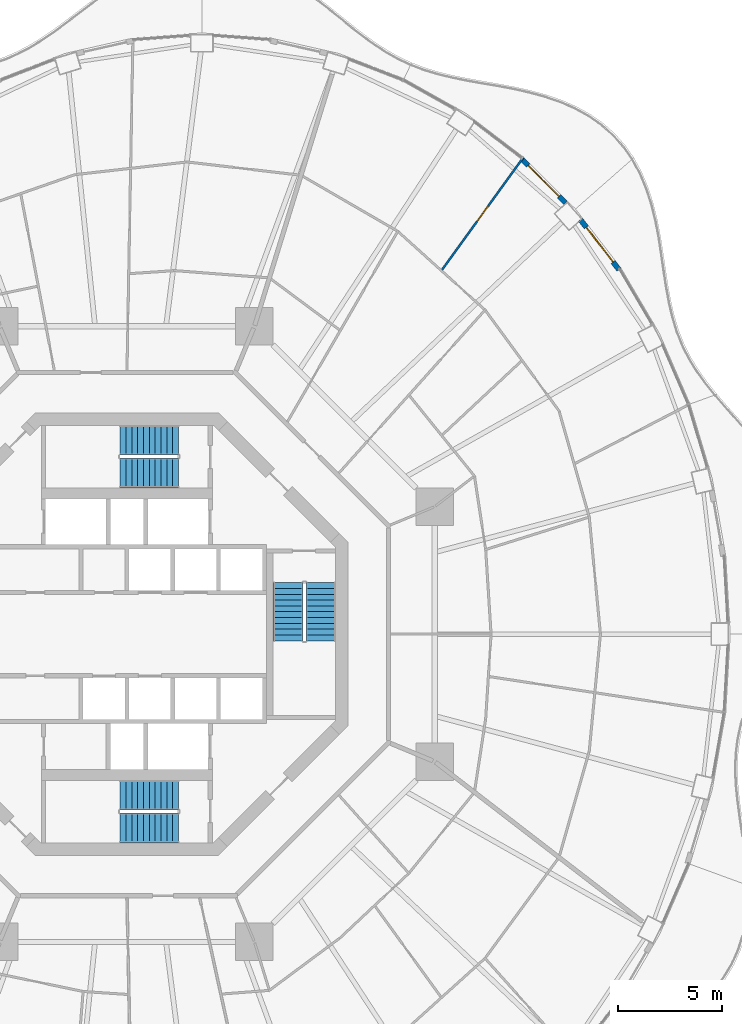
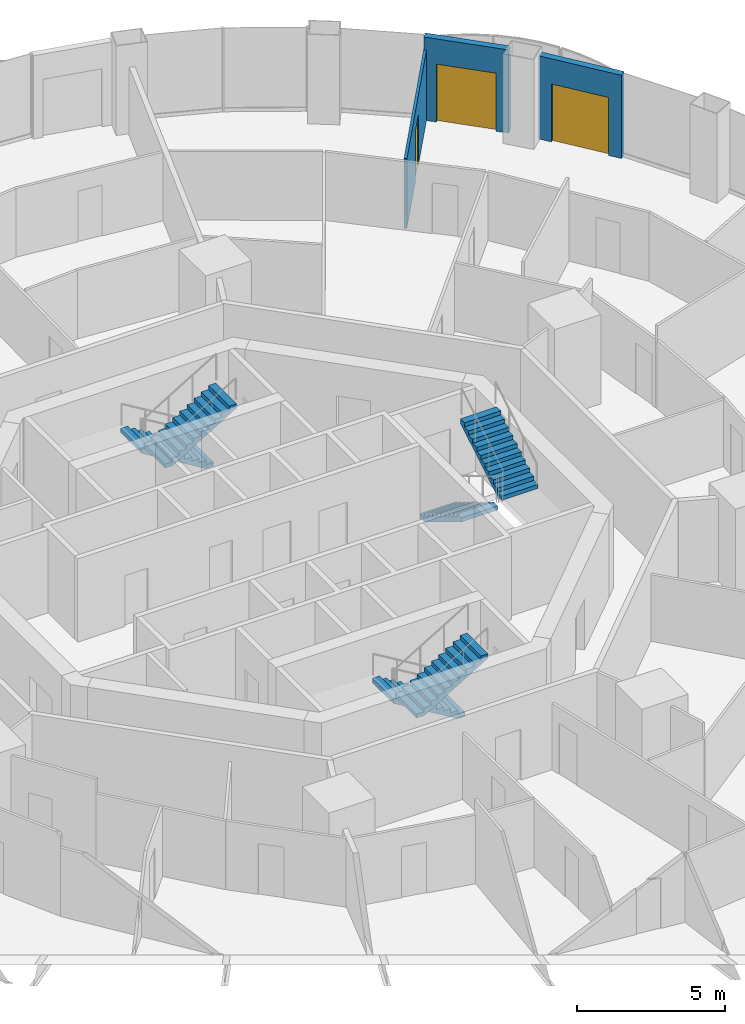
# One storey, part 16 of 19: 6 stair flights, 3 doors, 3 walls, 3 openings, 3 elements without a shape of their own.
"""IFC4 building model written with IfcOpenShell, lengths in metres."""

from ifc_helpers import new_model, si_unit, direction, frame, frame_2d, origin, place, context, subcontext, project, spatial, polyline, rectangle, outline, extrude, material, layer, layer_set, type_object, element, fill, aggregate, save


model = new_model("IFC4")

# Units and contexts
model_context = context("Model", 3, precision=1e-05, world=origin(), true_north=direction((0.0, 1.0)))
body_context = subcontext(model_context, "Body", "Model", "MODEL_VIEW")
ifc_project = project(units=[si_unit("LENGTHUNIT", "METRE"), si_unit("AREAUNIT", "SQUARE_METRE"), si_unit("VOLUMEUNIT", "CUBIC_METRE"), si_unit("PLANEANGLEUNIT", "RADIAN"), si_unit("MASSUNIT", "GRAM", prefix="KILO")], contexts=[model_context])

# Site, building, storey
site_placement = place(None, origin())
site = spatial("IfcSite", under=ifc_project, at=site_placement, CompositionType="ELEMENT")
building_placement = place(site_placement, origin())
building = spatial("IfcBuilding", under=site, at=building_placement, Name="Nagisa Residences", CompositionType="ELEMENT")
storey_placement = place(building_placement, frame((0.0, 0.0, 188.10009765625)))
storey = spatial("IfcBuildingStorey", under=building, at=storey_placement, Name="L47", CompositionType="ELEMENT", Elevation=188.10009765625)

# Wall, opening, door
ifc_material_1 = material(Name="Gypsum board on steel studs", Category="steel")
ifc_layer_1 = layer(ifc_material_1, 0.10009765625)
ifc_layer_set_1 = layer_set([ifc_layer_1], Name="Apartment partition 100")
wall_type_1 = type_object("IfcWallType", Name="Apartment partition 100", PredefinedType="PARTITIONING", material=ifc_layer_set_1)
wall_1_placement = place(storey_placement, frame((15.1328125, 17.498291015625, 0.0), z_axis=(0.0, 0.0, 1.0), x_axis=(0.586223556927, 0.810149332718, 0.0)))
wall_1 = element("IfcWall", 1, at=wall_1_placement, inside=storey, type_object=wall_type_1, Name="wall:L47:u34", PredefinedType="PARTITIONING", context=body_context, shape_type="SweptSolid", body=[
    extrude(rectangle(XDim=6.6376953125, YDim=0.10009765625, at=frame_2d((3.31884765625, 0.0))), origin(), (0.0, 0.0, 1.0), 2.90478515625),
])
opening_1_placement = place(wall_1_placement, frame((2.868896484375, 0.0, 0.0)))
opening_1 = element("IfcOpeningElement", 2, at=opening_1_placement, cuts=wall_1, Name="Opening L47-U39", PredefinedType="OPENING", context=body_context, shape_type="SweptSolid", body=[
    extrude(rectangle(XDim=0.89990234375, YDim=2.10009765625, at=frame_2d((0.449951171875, 1.050048828125))), frame((0.0, 0.06005859375, 0.0), z_axis=(0.0, -1.0, 0.0), x_axis=(1.0, 0.0, 0.0)), (0.0, 0.0, 1.0), 0.1201171875),
])
ifc_material_2 = material(Name="Timber door set", Category="wood")
door_type_1 = type_object("IfcDoorType", Name="Apartment door 900x2100", OperationType="NOTDEFINED", PredefinedType="DOOR", material=ifc_material_2)
door_1_placement = place(opening_1_placement, origin())
door_1 = element("IfcDoor", 3, at=door_1_placement, inside=storey, type_object=door_type_1, Name="Door to master bedroom, Apartment 47D", OperationType="SINGLE_SWING_LEFT", OverallHeight=2.10009765625, OverallWidth=0.89990234375, PredefinedType="DOOR", context=body_context, shape_type="SweptSolid", body=[
    extrude(rectangle(XDim=0.89990234375, YDim=2.10009765625, at=frame_2d((0.449951171875, 1.050048828125))), frame((0.0, 0.02490234375, 0.0), z_axis=(0.0, -1.0, 0.0), x_axis=(1.0, 0.0, 0.0)), (0.0, 0.0, 1.0), 0.050048828125),
])
fill(opening_1, door_1)

ifc_material_3 = material(Name="Precast concrete C40/50", Category="concrete")
ifc_layer_2 = layer(ifc_material_3, 0.25)
ifc_layer_set_2 = layer_set([ifc_layer_2], Name="BALCONY DOOR WALL 250")
wall_type_2 = type_object("IfcWallType", Name="BALCONY DOOR WALL 250", PredefinedType="SOLIDWALL", material=ifc_layer_set_2)
wall_2_placement = place(storey_placement, frame((21.779541015625, 19.90576171875, 0.0), z_axis=(0.0, 0.0, 1.0), x_axis=(0.610437428894, -0.79206448311, 0.0)))
wall_2 = element("IfcWall", 4, at=wall_2_placement, inside=storey, type_object=wall_type_2, Name="wall:L47:bay05", PredefinedType="SOLIDWALL", context=body_context, shape_type="SweptSolid", body=[
    extrude(rectangle(XDim=3.03515625, YDim=0.25, at=frame_2d((1.517578125, 0.0))), origin(), (0.0, 0.0, 1.0), 3.43994140625),
])
opening_2_placement = place(wall_2_placement, frame((0.467529296875, 0.0, 0.0)))
opening_2 = element("IfcOpeningElement", 5, at=opening_2_placement, cuts=wall_2, Name="Opening BD-L47-02", PredefinedType="OPENING", context=body_context, shape_type="SweptSolid", body=[
    extrude(rectangle(XDim=2.10009765625, YDim=2.39990234375, at=frame_2d((1.050048828125, 1.199951171875))), frame((0.0, 0.135009765625, 0.0), z_axis=(0.0, -1.0, 0.0), x_axis=(1.0, 0.0, 0.0)), (0.0, 0.0, 1.0), 0.27001953125),
])
ifc_material_4 = material(Name="Aluminium and clear glass", Category="aluminium")
door_type_2 = type_object("IfcDoorType", Name="BALCONY SLIDING DOOR 2100x2400", OperationType="SLIDING_TO_LEFT", PredefinedType="DOOR", material=ifc_material_4)
door_2_placement = place(opening_2_placement, origin())
door_2 = element("IfcDoor", 6, at=door_2_placement, inside=storey, type_object=door_type_2, Name="door:L47:bay05", OperationType="SLIDING_TO_LEFT", OverallHeight=2.39990234375, OverallWidth=2.10009765625, PredefinedType="DOOR", context=body_context, shape_type="SweptSolid", body=[
    extrude(rectangle(XDim=2.10009765625, YDim=2.39990234375, at=frame_2d((1.050048828125, 1.199951171875))), frame((0.0, 0.02490234375, 0.0), z_axis=(0.0, -1.0, 0.0), x_axis=(1.0, 0.0, 0.0)), (0.0, 0.0, 1.0), 0.050048828125),
])
fill(opening_2, door_2)

wall_3_placement = place(storey_placement, frame((18.958984375, 22.819580078125, 0.0), z_axis=(0.0, 0.0, 1.0), x_axis=(0.707844845069, -0.706367946122, 0.0)))
wall_3 = element("IfcWall", 7, at=wall_3_placement, inside=storey, type_object=wall_type_2, Name="wall:L47:bay06", PredefinedType="SOLIDWALL", context=body_context, shape_type="SweptSolid", body=[
    extrude(rectangle(XDim=2.9755859375, YDim=0.25, at=frame_2d((1.48779296875, 0.0))), origin(), (0.0, 0.0, 1.0), 3.43994140625),
])
opening_3_placement = place(wall_3_placement, frame((0.437744140625, 0.0, 0.0)))
opening_3 = element("IfcOpeningElement", 8, at=opening_3_placement, cuts=wall_3, Name="Opening BD-L47-03", PredefinedType="OPENING", context=body_context, shape_type="SweptSolid", body=[
    extrude(rectangle(XDim=2.10009765625, YDim=2.39990234375, at=frame_2d((1.050048828125, 1.199951171875))), frame((0.0, 0.135009765625, 0.0), z_axis=(0.0, -1.0, 0.0), x_axis=(1.0, 0.0, 0.0)), (0.0, 0.0, 1.0), 0.27001953125),
])
door_3_placement = place(opening_3_placement, origin())
door_3 = element("IfcDoor", 9, at=door_3_placement, inside=storey, type_object=door_type_2, Name="door:L47:bay06", OperationType="SLIDING_TO_LEFT", OverallHeight=2.39990234375, OverallWidth=2.10009765625, PredefinedType="DOOR", context=body_context, shape_type="SweptSolid", body=[
    extrude(rectangle(XDim=2.10009765625, YDim=2.39990234375, at=frame_2d((1.050048828125, 1.199951171875))), frame((0.0, 0.02490234375, 0.0), z_axis=(0.0, -1.0, 0.0), x_axis=(1.0, 0.0, 0.0)), (0.0, 0.0, 1.0), 0.050048828125),
])
fill(opening_3, door_3)

# Stair, stair flights
ifc_material_5 = material(Name="Concrete C60", Category="concrete")
stair_type = type_object("IfcStairType", Name="Exit stair", PredefinedType="HALF_TURN_STAIR", material=ifc_material_5)
stair_1_placement = place(storey_placement, origin())
stair_1 = element("IfcStair", 10, at=stair_1_placement, inside=storey, type_object=stair_type, Name="L47 Exit stair E", PredefinedType="HALF_TURN_STAIR")
ifc_material_6 = material(Name="Concrete C60", Category="concrete")
stair_flight_type = type_object("IfcStairFlightType", Name="Exit stair flight", PredefinedType="STRAIGHT", material=ifc_material_6)
stair_flight_1_placement = place(storey_placement, frame((7.737060546875, 2.47509765625, 0.0), z_axis=(0.0, 0.0, 1.0), x_axis=(0.0, -1.0, 0.0)))
stair_flight_1 = element("IfcStairFlight", 11, at=stair_flight_1_placement, type_object=stair_flight_type, Name="ST-E flight 1", NumberOfRisers=11, NumberOfTreads=10, PredefinedType="STRAIGHT", RiserHeight=0.168181818, TreadLength=0.28, context=body_context, shape_type="SweptSolid", body=[
    extrude(outline(polyline([(0.0, 0.0), (0.0, 0.168212890625), (0.280029296875, 0.168212890625), (0.280029296875, 0.33642578125), (0.56005859375, 0.33642578125), (0.56005859375, 0.504638671875), (0.840087890625, 0.504638671875), (0.840087890625, 0.672607421875), (1.1201171875, 0.672607421875), (1.1201171875, 0.8408203125), (1.39990234375, 0.8408203125), (1.39990234375, 1.009033203125), (1.679931640625, 1.009033203125), (1.679931640625, 1.17724609375), (1.9599609375, 1.17724609375), (1.9599609375, 1.345458984375), (2.239990234375, 1.345458984375), (2.239990234375, 1.513671875), (2.52001953125, 1.513671875), (2.52001953125, 1.681884765625), (2.800048828125, 1.681884765625), (2.800048828125, 1.85009765625), (2.800048828125, 1.5068359375), (0.291015625, 0.0), (0.0, 0.0)])), frame((0.0, 0.71240234375, 0.0), z_axis=(0.0, -1.0, 0.0), x_axis=(1.0, 0.0, 0.0)), (0.0, 0.0, 1.0), 1.425048828125),
])
stair_flight_2_placement = place(storey_placement, frame((9.31201171875, -0.324951171875, 1.849853515625), z_axis=(0.0, 0.0, 1.0), x_axis=(0.0, 1.0, 0.0)))
stair_flight_2 = element("IfcStairFlight", 12, at=stair_flight_2_placement, type_object=stair_flight_type, Name="ST-E flight 2", NumberOfRisers=11, NumberOfTreads=10, PredefinedType="STRAIGHT", RiserHeight=0.168181818, TreadLength=0.28, context=body_context, shape_type="SweptSolid", body=[
    extrude(outline(polyline([(0.0, 0.0), (0.0, 0.168212890625), (0.280029296875, 0.168212890625), (0.280029296875, 0.33642578125), (0.56005859375, 0.33642578125), (0.56005859375, 0.504638671875), (0.840087890625, 0.504638671875), (0.840087890625, 0.672607421875), (1.1201171875, 0.672607421875), (1.1201171875, 0.8408203125), (1.39990234375, 0.8408203125), (1.39990234375, 1.009033203125), (1.679931640625, 1.009033203125), (1.679931640625, 1.17724609375), (1.9599609375, 1.17724609375), (1.9599609375, 1.345458984375), (2.239990234375, 1.345458984375), (2.239990234375, 1.513671875), (2.52001953125, 1.513671875), (2.52001953125, 1.681884765625), (2.800048828125, 1.681884765625), (2.800048828125, 1.85009765625), (2.800048828125, 1.5068359375), (0.291015625, 0.0), (0.0, 0.0)])), frame((0.0, 0.71240234375, 0.0), z_axis=(0.0, -1.0, 0.0), x_axis=(1.0, 0.0, 0.0)), (0.0, 0.0, 1.0), 1.425048828125),
])
aggregate(stair_1, [stair_flight_1, stair_flight_2])

stair_2_placement = place(storey_placement, origin())
stair_2 = element("IfcStair", 13, at=stair_2_placement, inside=storey, type_object=stair_type, Name="L47 Exit stair N", PredefinedType="HALF_TURN_STAIR")
stair_flight_3_placement = place(storey_placement, frame((2.47509765625, 9.31201171875, 0.0), z_axis=(0.0, 0.0, 1.0), x_axis=(-1.0, 0.0, 0.0)))
stair_flight_3 = element("IfcStairFlight", 14, at=stair_flight_3_placement, type_object=stair_flight_type, Name="ST-N flight 1", NumberOfRisers=11, NumberOfTreads=10, PredefinedType="STRAIGHT", RiserHeight=0.168181818, TreadLength=0.28, context=body_context, shape_type="SweptSolid", body=[
    extrude(outline(polyline([(0.0, 0.0), (0.0, 0.168212890625), (0.280029296875, 0.168212890625), (0.280029296875, 0.33642578125), (0.56005859375, 0.33642578125), (0.56005859375, 0.504638671875), (0.840087890625, 0.504638671875), (0.840087890625, 0.672607421875), (1.1201171875, 0.672607421875), (1.1201171875, 0.8408203125), (1.39990234375, 0.8408203125), (1.39990234375, 1.009033203125), (1.679931640625, 1.009033203125), (1.679931640625, 1.17724609375), (1.9599609375, 1.17724609375), (1.9599609375, 1.345458984375), (2.239990234375, 1.345458984375), (2.239990234375, 1.513671875), (2.52001953125, 1.513671875), (2.52001953125, 1.681884765625), (2.800048828125, 1.681884765625), (2.800048828125, 1.85009765625), (2.800048828125, 1.5068359375), (0.291015625, 0.0), (0.0, 0.0)])), frame((0.0, 0.71240234375, 0.0), z_axis=(0.0, -1.0, 0.0), x_axis=(1.0, 0.0, 0.0)), (0.0, 0.0, 1.0), 1.425048828125),
])
stair_flight_4_placement = place(storey_placement, frame((-0.324951171875, 7.737060546875, 1.849853515625), z_axis=(0.0, 0.0, 1.0), x_axis=(1.0, 0.0, 0.0)))
stair_flight_4 = element("IfcStairFlight", 15, at=stair_flight_4_placement, type_object=stair_flight_type, Name="ST-N flight 2", NumberOfRisers=11, NumberOfTreads=10, PredefinedType="STRAIGHT", RiserHeight=0.168181818, TreadLength=0.28, context=body_context, shape_type="SweptSolid", body=[
    extrude(outline(polyline([(0.0, 0.0), (0.0, 0.168212890625), (0.280029296875, 0.168212890625), (0.280029296875, 0.33642578125), (0.56005859375, 0.33642578125), (0.56005859375, 0.504638671875), (0.840087890625, 0.504638671875), (0.840087890625, 0.672607421875), (1.1201171875, 0.672607421875), (1.1201171875, 0.8408203125), (1.39990234375, 0.8408203125), (1.39990234375, 1.009033203125), (1.679931640625, 1.009033203125), (1.679931640625, 1.17724609375), (1.9599609375, 1.17724609375), (1.9599609375, 1.345458984375), (2.239990234375, 1.345458984375), (2.239990234375, 1.513671875), (2.52001953125, 1.513671875), (2.52001953125, 1.681884765625), (2.800048828125, 1.681884765625), (2.800048828125, 1.85009765625), (2.800048828125, 1.5068359375), (0.291015625, 0.0), (0.0, 0.0)])), frame((0.0, 0.71240234375, 0.0), z_axis=(0.0, -1.0, 0.0), x_axis=(1.0, 0.0, 0.0)), (0.0, 0.0, 1.0), 1.425048828125),
])
aggregate(stair_2, [stair_flight_3, stair_flight_4])

stair_3_placement = place(storey_placement, origin())
stair_3 = element("IfcStair", 16, at=stair_3_placement, inside=storey, type_object=stair_type, Name="L47 Exit stair S", PredefinedType="HALF_TURN_STAIR")
stair_flight_5_placement = place(storey_placement, frame((2.47509765625, -7.737060546875, 0.0), z_axis=(0.0, 0.0, 1.0), x_axis=(-1.0, 0.0, 0.0)))
stair_flight_5 = element("IfcStairFlight", 17, at=stair_flight_5_placement, type_object=stair_flight_type, Name="ST-S flight 1", NumberOfRisers=11, NumberOfTreads=10, PredefinedType="STRAIGHT", RiserHeight=0.168181818, TreadLength=0.28, context=body_context, shape_type="SweptSolid", body=[
    extrude(outline(polyline([(0.0, 0.0), (0.0, 0.168212890625), (0.280029296875, 0.168212890625), (0.280029296875, 0.33642578125), (0.56005859375, 0.33642578125), (0.56005859375, 0.504638671875), (0.840087890625, 0.504638671875), (0.840087890625, 0.672607421875), (1.1201171875, 0.672607421875), (1.1201171875, 0.8408203125), (1.39990234375, 0.8408203125), (1.39990234375, 1.009033203125), (1.679931640625, 1.009033203125), (1.679931640625, 1.17724609375), (1.9599609375, 1.17724609375), (1.9599609375, 1.345458984375), (2.239990234375, 1.345458984375), (2.239990234375, 1.513671875), (2.52001953125, 1.513671875), (2.52001953125, 1.681884765625), (2.800048828125, 1.681884765625), (2.800048828125, 1.85009765625), (2.800048828125, 1.5068359375), (0.291015625, 0.0), (0.0, 0.0)])), frame((0.0, 0.71240234375, 0.0), z_axis=(0.0, -1.0, 0.0), x_axis=(1.0, 0.0, 0.0)), (0.0, 0.0, 1.0), 1.425048828125),
])
stair_flight_6_placement = place(storey_placement, frame((-0.324951171875, -9.31201171875, 1.849853515625), z_axis=(0.0, 0.0, 1.0), x_axis=(1.0, 0.0, 0.0)))
stair_flight_6 = element("IfcStairFlight", 18, at=stair_flight_6_placement, type_object=stair_flight_type, Name="ST-S flight 2", NumberOfRisers=11, NumberOfTreads=10, PredefinedType="STRAIGHT", RiserHeight=0.168181818, TreadLength=0.28, context=body_context, shape_type="SweptSolid", body=[
    extrude(outline(polyline([(0.0, 0.0), (0.0, 0.168212890625), (0.280029296875, 0.168212890625), (0.280029296875, 0.33642578125), (0.56005859375, 0.33642578125), (0.56005859375, 0.504638671875), (0.840087890625, 0.504638671875), (0.840087890625, 0.672607421875), (1.1201171875, 0.672607421875), (1.1201171875, 0.8408203125), (1.39990234375, 0.8408203125), (1.39990234375, 1.009033203125), (1.679931640625, 1.009033203125), (1.679931640625, 1.17724609375), (1.9599609375, 1.17724609375), (1.9599609375, 1.345458984375), (2.239990234375, 1.345458984375), (2.239990234375, 1.513671875), (2.52001953125, 1.513671875), (2.52001953125, 1.681884765625), (2.800048828125, 1.681884765625), (2.800048828125, 1.85009765625), (2.800048828125, 1.5068359375), (0.291015625, 0.0), (0.0, 0.0)])), frame((0.0, 0.71240234375, 0.0), z_axis=(0.0, -1.0, 0.0), x_axis=(1.0, 0.0, 0.0)), (0.0, 0.0, 1.0), 1.425048828125),
])
aggregate(stair_3, [stair_flight_5, stair_flight_6])

save(model, "model.ifc")
